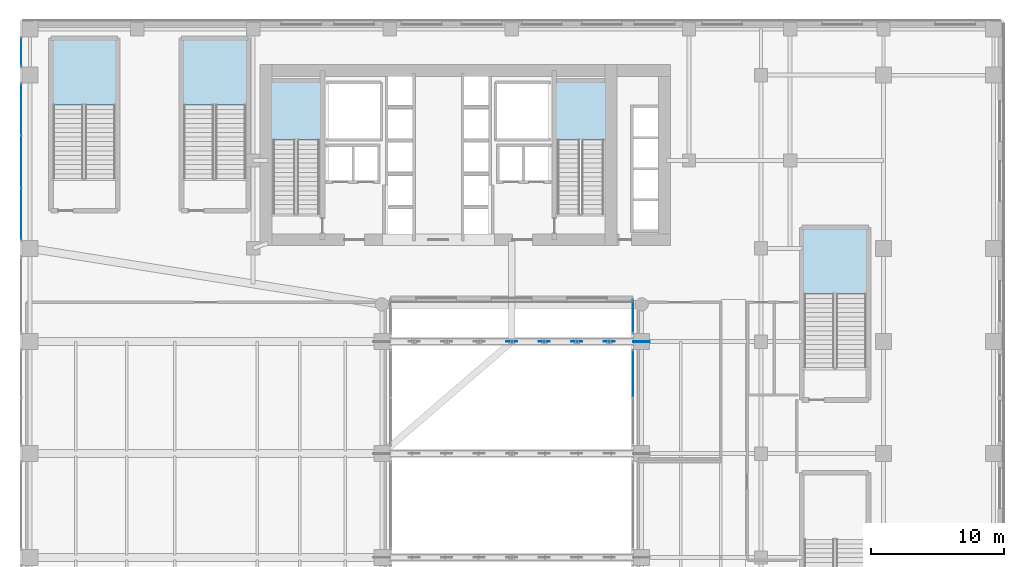
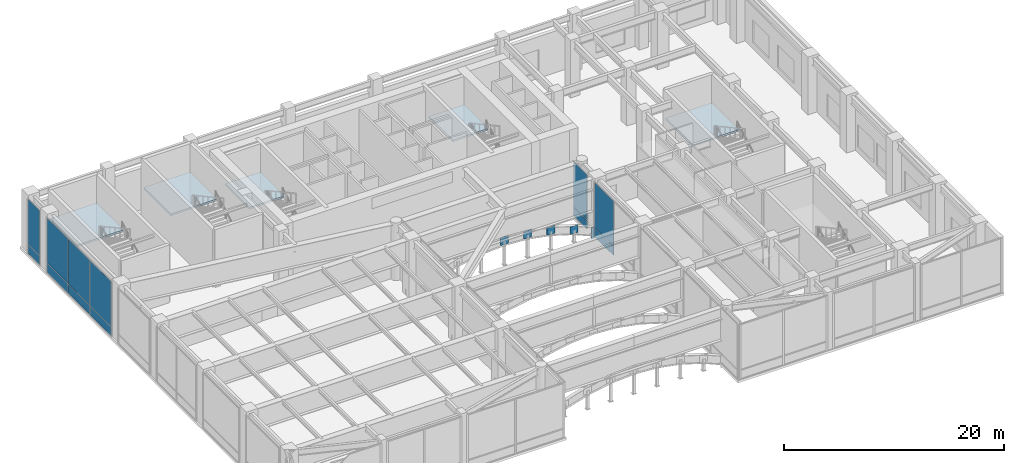
# One storey, part 38 of 50: 17 plates, 5 slabs, 9 elements without a shape of their own.
"""IFC4 building model written with IfcOpenShell, lengths in metres."""

from ifc_helpers import new_model, si_unit, direction, frame, origin, origin_2d, place, context, subcontext, project, spatial, polyline, rectangle, outline, extrude, source, transform, mapped, material, layer, layer_set, type_object, type_shapes, element, aggregate, save


model = new_model("IFC4")

# Units and contexts
model_context = context("Model", 3, precision=1e-05, world=origin(), true_north=direction((0.0, 1.0)))
body_context = subcontext(model_context, "Body", "Model", "MODEL_VIEW")
ifc_project = project(units=[si_unit("LENGTHUNIT", "METRE"), si_unit("AREAUNIT", "SQUARE_METRE"), si_unit("VOLUMEUNIT", "CUBIC_METRE"), si_unit("PLANEANGLEUNIT", "RADIAN"), si_unit("MASSUNIT", "GRAM", prefix="KILO")], contexts=[model_context])

# Site, building, storey
site_placement = place(None, origin())
site = spatial("IfcSite", under=ifc_project, at=site_placement, CompositionType="ELEMENT")
building_placement = place(site_placement, origin())
building = spatial("IfcBuilding", under=site, at=building_placement, Name="Tolvann Quenvar Hotel", CompositionType="ELEMENT")
storey_placement = place(building_placement, frame((0.0, 0.0, 16.0)))
storey = spatial("IfcBuildingStorey", under=building, at=storey_placement, Name="L03", CompositionType="ELEMENT", Elevation=16.0)

# Stair, slab
ifc_material_1 = material(Name="Concrete N40 (40 MPa)", Category="concrete")
stair_type = type_object("IfcStairType", Name="STAIR", PredefinedType="HALF_TURN_STAIR", material=ifc_material_1)
stair_1_placement = place(storey_placement, origin())
stair_1 = element("IfcStair", 1, at=stair_1_placement, inside=storey, type_object=stair_type, Name="L03 ST-C1", PredefinedType="HALF_TURN_STAIR")
ifc_layer_1 = layer(ifc_material_1, 0.199951171875)
ifc_layer_set_1 = layer_set([ifc_layer_1], Name="Concrete N40 (40 MPa)")
slab_type = type_object("IfcSlabType", Name="SLAB_LANDING", PredefinedType="LANDING", material=ifc_layer_set_1)
slab_1_placement = place(storey_placement, frame((0.0, 0.0, 3.0)))
slab_1 = element("IfcSlab", 2, at=slab_1_placement, type_object=slab_type, Name="ST-C1 landing 1", PredefinedType="LANDING", context=body_context, shape_type="SweptSolid", body=[
    extrude(outline(polyline([(14.179931640625, 39.52001953125), (14.179931640625, 43.8798828125), (10.469970703125, 43.8798828125), (10.469970703125, 39.52001953125), (14.179931640625, 39.52001953125)])), origin(), (0.0, 0.0, 1.0), 0.199951171875),
])
aggregate(stair_1, [slab_1])

stair_2_placement = place(storey_placement, origin())
stair_2 = element("IfcStair", 3, at=stair_2_placement, inside=storey, type_object=stair_type, Name="L03 ST-C2", PredefinedType="HALF_TURN_STAIR")
slab_2_placement = place(storey_placement, frame((0.0, 0.0, 3.0)))
slab_2 = element("IfcSlab", 4, at=slab_2_placement, type_object=slab_type, Name="ST-C2 landing 1", PredefinedType="LANDING", context=body_context, shape_type="SweptSolid", body=[
    extrude(outline(polyline([(35.530029296875, 39.52001953125), (35.530029296875, 43.8798828125), (31.820068359375, 43.8798828125), (31.820068359375, 39.52001953125), (35.530029296875, 39.52001953125)])), origin(), (0.0, 0.0, 1.0), 0.199951171875),
])
aggregate(stair_2, [slab_2])

stair_3_placement = place(storey_placement, origin())
stair_3 = element("IfcStair", 5, at=stair_3_placement, inside=storey, type_object=stair_type, Name="L03 ST-P1", PredefinedType="HALF_TURN_STAIR")
slab_3_placement = place(storey_placement, frame((0.0, 0.0, 3.0)))
slab_3 = element("IfcSlab", 6, at=slab_3_placement, type_object=slab_type, Name="ST-P1 landing 1", PredefinedType="LANDING", context=body_context, shape_type="SweptSolid", body=[
    extrude(outline(polyline([(-1.1201171875, 42.169921875), (-1.1201171875, 47.080078125), (-6.030029296875, 47.080078125), (-6.030029296875, 42.169921875), (-1.1201171875, 42.169921875)])), origin(), (0.0, 0.0, 1.0), 0.199951171875),
])
aggregate(stair_3, [slab_3])

stair_4_placement = place(storey_placement, origin())
stair_4 = element("IfcStair", 7, at=stair_4_placement, inside=storey, type_object=stair_type, Name="L03 ST-P2", PredefinedType="HALF_TURN_STAIR")
slab_4_placement = place(storey_placement, frame((0.0, 0.0, 3.0)))
slab_4 = element("IfcSlab", 8, at=slab_4_placement, type_object=slab_type, Name="ST-P2 landing 1", PredefinedType="LANDING", context=body_context, shape_type="SweptSolid", body=[
    extrude(outline(polyline([(8.679931640625, 42.169921875), (8.679931640625, 47.080078125), (3.77001953125, 47.080078125), (3.77001953125, 42.169921875), (8.679931640625, 42.169921875)])), origin(), (0.0, 0.0, 1.0), 0.199951171875),
])
aggregate(stair_4, [slab_4])

stair_5_placement = place(storey_placement, origin())
stair_5 = element("IfcStair", 9, at=stair_5_placement, inside=storey, type_object=stair_type, Name="L03 ST-P4", PredefinedType="HALF_TURN_STAIR")
slab_5_placement = place(storey_placement, frame((0.0, 0.0, 3.0)))
slab_5 = element("IfcSlab", 10, at=slab_5_placement, type_object=slab_type, Name="ST-P4 landing 1", PredefinedType="LANDING", context=body_context, shape_type="SweptSolid", body=[
    extrude(outline(polyline([(55.22998046875, 27.969970703125), (55.22998046875, 32.8798828125), (50.320068359375, 32.8798828125), (50.320068359375, 27.969970703125), (55.22998046875, 27.969970703125)])), origin(), (0.0, 0.0, 1.0), 0.199951171875),
])
aggregate(stair_5, [slab_5])

# Plates
ifc_material_2 = material(Name="Steel Grade 350", Category="steel")
ifc_layer_2 = layer(ifc_material_2, 0.06005859375)
ifc_layer_set_2 = layer_set([ifc_layer_2], Name="Steel Grade 350")
plate_type_1 = type_object("IfcPlateType", Name="PLT_SPRINGER_60", PredefinedType="USERDEFINED", material=ifc_layer_set_2)
shared_shape_1 = source(origin(), body_context, "Body", "SweptSolid", [
    extrude(rectangle(XDim=1.25, YDim=0.06005859375, at=origin_2d()), origin(), (0.0, 0.0, 1.0), 1.25),
])
type_shapes(plate_type_1, [shared_shape_1])
plate_1_placement = place(storey_placement, frame((38.25, 24.39990234375, -0.625), z_axis=(0.0, 0.0, 1.0), x_axis=(1.0, 0.0, 0.0)))
element("IfcPlate", 11, at=plate_1_placement, inside=storey, type_object=plate_type_1, Name="Arch Rib East Springer Gusset Plate GP-3 (F4-END)", ObjectType="GUSSET PLATE", PredefinedType="USERDEFINED", context=body_context, shape_type="MappedRepresentation", body=[
    mapped(shared_shape_1, transform((0.0, 0.0, 0.0), x_axis=(1.0, 0.0, 0.0), y_axis=(0.0, 1.0, 0.0), z_axis=(0.0, 0.0, 1.0), scale=1.0)),
])
ifc_layer_3 = layer(ifc_material_2, 0.031982421875)
ifc_layer_set_3 = layer_set([ifc_layer_3], Name="Steel Grade 350")
plate_type_2 = type_object("IfcPlateType", Name="PLT_GUSSET_32", PredefinedType="USERDEFINED", material=ifc_layer_set_3)
shared_shape_2 = source(origin(), body_context, "Body", "SweptSolid", [
    extrude(rectangle(XDim=0.85009765625, YDim=0.031982421875, at=origin_2d()), origin(), (0.0, 0.0, 1.0), 0.85009765625),
])
type_shapes(plate_type_2, [shared_shape_2])
for number, where, z_axis, x_axis, name in (
    (12, (28.5, 24.39990234375, 1.974853515625), (0.0, 0.0, 1.0), (1.0, 0.0, 0.0), "Arch Rib Node Gusset Plate (F4-5)"),
    (13, (30.9375, 24.39990234375, 1.824951171875), (0.0, 0.0, 1.0), (1.0, 0.0, 0.0), "Arch Rib Node Gusset Plate (F4-6)"),
    (14, (33.375, 24.39990234375, 1.375), (0.0, 0.0, 1.0), (1.0, 0.0, 0.0), "Arch Rib Node Gusset Plate (F4-7)"),
    (15, (35.8125, 24.39990234375, 0.625), (0.0, 0.0, 1.0), (1.0, 0.0, 0.0), "Arch Rib Node Gusset Plate (F4-8)"),
):
    element("IfcPlate", number, at=place(storey_placement, frame(where, z_axis=z_axis, x_axis=x_axis)), inside=storey, type_object=plate_type_2, Name=name, ObjectType="GUSSET PLATE", PredefinedType="USERDEFINED", context=body_context, shape_type="MappedRepresentation", body=[
        mapped(shared_shape_2, transform((0.0, 0.0, 0.0), x_axis=(1.0, 0.0, 0.0), y_axis=(0.0, 1.0, 0.0), z_axis=(0.0, 0.0, 1.0), scale=1.0)),
    ])

# Curtain wall, plates
ifc_material_3 = material(Name="Thermally broken anodised architectural aluminium 6063-T6 and laminated low-E glass", Category="aluminium")
ifc_layer_4 = layer(ifc_material_3, 0.179931640625)
ifc_layer_set_4 = layer_set([ifc_layer_4], Name="Thermally broken anodised architectural aluminium 6063-T6 and laminated low-E glass")
curtain_wall_type_1 = type_object("IfcCurtainWallType", Name="CW_SYS_ARCH_01", PredefinedType="USERDEFINED", material=ifc_layer_set_4)
curtain_wall_1_placement = place(storey_placement, origin())
curtain_wall_1 = element("IfcCurtainWall", 16, at=curtain_wall_1_placement, inside=storey, type_object=curtain_wall_type_1, Name="Curtain Wall CW-ARCH-01 (CWR-L03-E03-S2)", ObjectType="UNITISED CURTAIN WALL", PredefinedType="USERDEFINED")
ifc_material_4 = material(Name="Low-iron laminated double glazing with solar-control coating", Category="glass")
ifc_layer_5 = layer(ifc_material_4, 0.028076171875)
ifc_layer_set_5 = layer_set([ifc_layer_5], Name="Low-iron laminated double glazing with solar-control coating")
plate_type_3 = type_object("IfcPlateType", Name="CW_PAN_VISION_28", PredefinedType="CURTAIN_PANEL", material=ifc_layer_set_5)
shared_shape_3 = source(origin(), body_context, "Body", "SweptSolid", [
    extrude(rectangle(XDim=3.490966796875, YDim=0.028076171875, at=origin_2d()), origin(), (0.0, 0.0, 1.0), 0.9599609375),
])
plate_2_placement = place(storey_placement, frame((37.590087890625, 21.98046875, 0.06005859375), z_axis=(0.0, 0.0, 1.0), x_axis=(0.0, -1.0, 0.0)))
plate_2 = element("IfcPlate", 17, at=plate_2_placement, type_object=plate_type_3, Name="CW-ARCH-01 panel 1.1", PredefinedType="CURTAIN_PANEL", context=body_context, shape_type="MappedRepresentation", body=[
    mapped(shared_shape_3, transform((0.0, 0.0, 0.0), x_axis=(1.0, 0.0, 0.0), y_axis=(0.0, 1.0, 0.0), z_axis=(0.0, 0.0, 1.0), scale=1.0)),
])
shared_shape_4 = source(origin(), body_context, "Body", "SweptSolid", [
    extrude(rectangle(XDim=3.490966796875, YDim=0.028076171875, at=origin_2d()), origin(), (0.0, 0.0, 1.0), 5.0),
])
plate_3_placement = place(storey_placement, frame((37.590087890625, 21.98046875, 1.080078125), z_axis=(0.0, 0.0, 1.0), x_axis=(0.0, -1.0, 0.0)))
plate_3 = element("IfcPlate", 18, at=plate_3_placement, type_object=plate_type_3, Name="CW-ARCH-01 panel 1.2", PredefinedType="CURTAIN_PANEL", context=body_context, shape_type="MappedRepresentation", body=[
    mapped(shared_shape_4, transform((0.0, 0.0, 0.0), x_axis=(1.0, 0.0, 0.0), y_axis=(0.0, 1.0, 0.0), z_axis=(0.0, 0.0, 1.0), scale=1.0)),
])
aggregate(curtain_wall_1, [plate_2, plate_3])

curtain_wall_2_placement = place(storey_placement, origin())
curtain_wall_2 = element("IfcCurtainWall", 19, at=curtain_wall_2_placement, inside=storey, type_object=curtain_wall_type_1, Name="Curtain Wall CW-ARCH-01 (CWR-L03-E03-S1)", ObjectType="UNITISED CURTAIN WALL", PredefinedType="USERDEFINED")
shared_shape_5 = source(origin(), body_context, "Body", "SweptSolid", [
    extrude(rectangle(XDim=2.466064453125, YDim=0.028076171875, at=origin_2d()), origin(), (0.0, 0.0, 1.0), 0.9599609375),
])
plate_4_placement = place(storey_placement, frame((37.590087890625, 26.306884765625, 0.06005859375), z_axis=(0.0, 0.0, 1.0), x_axis=(0.0, -1.0, 0.0)))
plate_4 = element("IfcPlate", 20, at=plate_4_placement, type_object=plate_type_3, Name="CW-ARCH-01 panel 1.1", PredefinedType="CURTAIN_PANEL", context=body_context, shape_type="MappedRepresentation", body=[
    mapped(shared_shape_5, transform((0.0, 0.0, 0.0), x_axis=(1.0, 0.0, 0.0), y_axis=(0.0, 1.0, 0.0), z_axis=(0.0, 0.0, 1.0), scale=1.0)),
])
shared_shape_6 = source(origin(), body_context, "Body", "SweptSolid", [
    extrude(rectangle(XDim=2.466064453125, YDim=0.028076171875, at=origin_2d()), origin(), (0.0, 0.0, 1.0), 5.0),
])
plate_5_placement = place(storey_placement, frame((37.590087890625, 26.306884765625, 1.080078125), z_axis=(0.0, 0.0, 1.0), x_axis=(0.0, -1.0, 0.0)))
plate_5 = element("IfcPlate", 21, at=plate_5_placement, type_object=plate_type_3, Name="CW-ARCH-01 panel 1.2", PredefinedType="CURTAIN_PANEL", context=body_context, shape_type="MappedRepresentation", body=[
    mapped(shared_shape_6, transform((0.0, 0.0, 0.0), x_axis=(1.0, 0.0, 0.0), y_axis=(0.0, 1.0, 0.0), z_axis=(0.0, 0.0, 1.0), scale=1.0)),
])
aggregate(curtain_wall_2, [plate_4, plate_5])

ifc_layer_6 = layer(ifc_material_3, 0.179931640625)
ifc_layer_set_6 = layer_set([ifc_layer_6], Name="Thermally broken anodised architectural aluminium 6063-T6 and laminated low-E glass")
curtain_wall_type_2 = type_object("IfcCurtainWallType", Name="CW_SYS_BALL_02", PredefinedType="USERDEFINED", material=ifc_layer_set_6)
curtain_wall_3_placement = place(storey_placement, origin())
curtain_wall_3 = element("IfcCurtainWall", 22, at=curtain_wall_3_placement, inside=storey, type_object=curtain_wall_type_2, Name="Curtain Wall CW-BALL-02 (CWR-L03-E07-S1)", ObjectType="UNITISED CURTAIN WALL", PredefinedType="USERDEFINED")
shared_shape_7 = source(origin(), body_context, "Body", "SweptSolid", [
    extrude(rectangle(XDim=2.10205078125, YDim=0.028076171875, at=origin_2d()), origin(), (0.0, 0.0, 1.0), 0.9599609375),
])
plate_6_placement = place(storey_placement, frame((-8.31005859375, 46.125, 0.06005859375), z_axis=(0.0, 0.0, 1.0), x_axis=(0.0, -1.0, 0.0)))
plate_6 = element("IfcPlate", 23, at=plate_6_placement, type_object=plate_type_3, Name="CW-BALL-02 panel 1.1", PredefinedType="CURTAIN_PANEL", context=body_context, shape_type="MappedRepresentation", body=[
    mapped(shared_shape_7, transform((0.0, 0.0, 0.0), x_axis=(1.0, 0.0, 0.0), y_axis=(0.0, 1.0, 0.0), z_axis=(0.0, 0.0, 1.0), scale=1.0)),
])
shared_shape_8 = source(origin(), body_context, "Body", "SweptSolid", [
    extrude(rectangle(XDim=2.10205078125, YDim=0.028076171875, at=origin_2d()), origin(), (0.0, 0.0, 1.0), 5.0),
])
plate_7_placement = place(storey_placement, frame((-8.31005859375, 46.125, 1.080078125), z_axis=(0.0, 0.0, 1.0), x_axis=(0.0, -1.0, 0.0)))
plate_7 = element("IfcPlate", 24, at=plate_7_placement, type_object=plate_type_3, Name="CW-BALL-02 panel 1.2", PredefinedType="CURTAIN_PANEL", context=body_context, shape_type="MappedRepresentation", body=[
    mapped(shared_shape_8, transform((0.0, 0.0, 0.0), x_axis=(1.0, 0.0, 0.0), y_axis=(0.0, 1.0, 0.0), z_axis=(0.0, 0.0, 1.0), scale=1.0)),
])
aggregate(curtain_wall_3, [plate_6, plate_7])

curtain_wall_4_placement = place(storey_placement, origin())
curtain_wall_4 = element("IfcCurtainWall", 25, at=curtain_wall_4_placement, inside=storey, type_object=curtain_wall_type_2, Name="Curtain Wall CW-BALL-02 (CWR-L03-E07-S2)", ObjectType="UNITISED CURTAIN WALL", PredefinedType="USERDEFINED")
shared_shape_9 = source(origin(), body_context, "Body", "SweptSolid", [
    extrude(rectangle(XDim=3.82568359375, YDim=0.028076171875, at=origin_2d()), origin(), (0.0, 0.0, 1.0), 0.9599609375),
])
plate_8_placement = place(storey_placement, frame((-8.31005859375, 41.813232421875, 0.06005859375), z_axis=(0.0, 0.0, 1.0), x_axis=(0.0, -1.0, 0.0)))
plate_8 = element("IfcPlate", 26, at=plate_8_placement, type_object=plate_type_3, Name="CW-BALL-02 panel 1.1", PredefinedType="CURTAIN_PANEL", context=body_context, shape_type="MappedRepresentation", body=[
    mapped(shared_shape_9, transform((0.0, 0.0, 0.0), x_axis=(1.0, 0.0, 0.0), y_axis=(0.0, 1.0, 0.0), z_axis=(0.0, 0.0, 1.0), scale=1.0)),
])
plate_9_placement = place(storey_placement, frame((-8.31005859375, 33.98681640625, 0.06005859375), z_axis=(0.0, 0.0, 1.0), x_axis=(0.0, -1.0, 0.0)))
plate_9 = element("IfcPlate", 27, at=plate_9_placement, type_object=plate_type_3, Name="CW-BALL-02 panel 3.1", PredefinedType="CURTAIN_PANEL", context=body_context, shape_type="MappedRepresentation", body=[
    mapped(shared_shape_9, transform((0.0, 0.0, 0.0), x_axis=(1.0, 0.0, 0.0), y_axis=(0.0, 1.0, 0.0), z_axis=(0.0, 0.0, 1.0), scale=1.0)),
])
shared_shape_10 = source(origin(), body_context, "Body", "SweptSolid", [
    extrude(rectangle(XDim=3.82568359375, YDim=0.028076171875, at=origin_2d()), origin(), (0.0, 0.0, 1.0), 5.0),
])
plate_10_placement = place(storey_placement, frame((-8.31005859375, 41.813232421875, 1.080078125), z_axis=(0.0, 0.0, 1.0), x_axis=(0.0, -1.0, 0.0)))
plate_10 = element("IfcPlate", 28, at=plate_10_placement, type_object=plate_type_3, Name="CW-BALL-02 panel 1.2", PredefinedType="CURTAIN_PANEL", context=body_context, shape_type="MappedRepresentation", body=[
    mapped(shared_shape_10, transform((0.0, 0.0, 0.0), x_axis=(1.0, 0.0, 0.0), y_axis=(0.0, 1.0, 0.0), z_axis=(0.0, 0.0, 1.0), scale=1.0)),
])
plate_11_placement = place(storey_placement, frame((-8.31005859375, 33.98681640625, 1.080078125), z_axis=(0.0, 0.0, 1.0), x_axis=(0.0, -1.0, 0.0)))
plate_11 = element("IfcPlate", 29, at=plate_11_placement, type_object=plate_type_3, Name="CW-BALL-02 panel 3.2", PredefinedType="CURTAIN_PANEL", context=body_context, shape_type="MappedRepresentation", body=[
    mapped(shared_shape_10, transform((0.0, 0.0, 0.0), x_axis=(1.0, 0.0, 0.0), y_axis=(0.0, 1.0, 0.0), z_axis=(0.0, 0.0, 1.0), scale=1.0)),
])
shared_shape_11 = source(origin(), body_context, "Body", "SweptSolid", [
    extrude(rectangle(XDim=3.860595703125, YDim=0.028076171875, at=origin_2d()), origin(), (0.0, 0.0, 1.0), 0.9599609375),
])
plate_12_placement = place(storey_placement, frame((-8.31005859375, 37.89990234375, 0.06005859375), z_axis=(0.0, 0.0, 1.0), x_axis=(0.0, -1.0, 0.0)))
plate_12 = element("IfcPlate", 30, at=plate_12_placement, type_object=plate_type_3, Name="CW-BALL-02 panel 2.1", PredefinedType="CURTAIN_PANEL", context=body_context, shape_type="MappedRepresentation", body=[
    mapped(shared_shape_11, transform((0.0, 0.0, 0.0), x_axis=(1.0, 0.0, 0.0), y_axis=(0.0, 1.0, 0.0), z_axis=(0.0, 0.0, 1.0), scale=1.0)),
])
shared_shape_12 = source(origin(), body_context, "Body", "SweptSolid", [
    extrude(rectangle(XDim=3.860595703125, YDim=0.028076171875, at=origin_2d()), origin(), (0.0, 0.0, 1.0), 5.0),
])
type_shapes(plate_type_3, [shared_shape_3, shared_shape_4, shared_shape_5, shared_shape_6, shared_shape_7, shared_shape_8, shared_shape_9, shared_shape_10, shared_shape_11, shared_shape_12])
plate_13_placement = place(storey_placement, frame((-8.31005859375, 37.89990234375, 1.080078125), z_axis=(0.0, 0.0, 1.0), x_axis=(0.0, -1.0, 0.0)))
plate_13 = element("IfcPlate", 31, at=plate_13_placement, type_object=plate_type_3, Name="CW-BALL-02 panel 2.2", PredefinedType="CURTAIN_PANEL", context=body_context, shape_type="MappedRepresentation", body=[
    mapped(shared_shape_12, transform((0.0, 0.0, 0.0), x_axis=(1.0, 0.0, 0.0), y_axis=(0.0, 1.0, 0.0), z_axis=(0.0, 0.0, 1.0), scale=1.0)),
])
aggregate(curtain_wall_4, [plate_8, plate_10, plate_12, plate_13, plate_9, plate_11])

save(model, "model.ifc")
